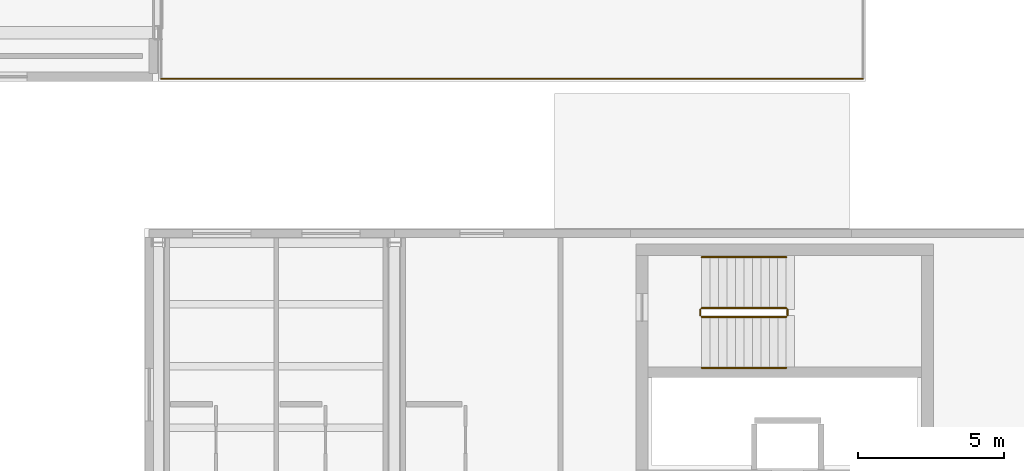
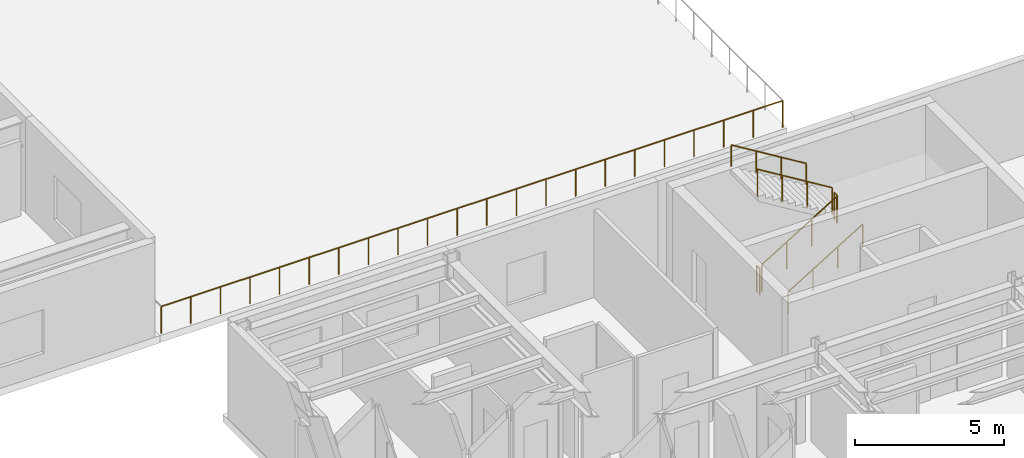
# One storey, part 54 of 59: 7 railings.
"""IFC4 building model written with IfcOpenShell, lengths in metres."""

from ifc_helpers import new_model, si_unit, direction, frame, origin, origin_2d, place, context, subcontext, project, spatial, circle, extrude, material, type_object, element, save


model = new_model("IFC4")

# Units and contexts
model_context = context("Model", 3, precision=1e-05, world=origin(), true_north=direction((0.0, 1.0)))
body_context = subcontext(model_context, "Body", "Model", "MODEL_VIEW")
ifc_project = project(units=[si_unit("LENGTHUNIT", "METRE"), si_unit("AREAUNIT", "SQUARE_METRE"), si_unit("VOLUMEUNIT", "CUBIC_METRE"), si_unit("PLANEANGLEUNIT", "RADIAN"), si_unit("MASSUNIT", "GRAM", prefix="KILO")], contexts=[model_context])

# Site, building, storey
site_placement = place(None, origin())
site = spatial("IfcSite", under=ifc_project, at=site_placement, CompositionType="ELEMENT")
building_placement = place(site_placement, origin())
building = spatial("IfcBuilding", under=site, at=building_placement, Name="Sollismere Congress Hotel", CompositionType="ELEMENT")
storey_placement = place(building_placement, frame((0.0, 0.0, 15.60009765625)))
storey = spatial("IfcBuildingStorey", under=building, at=storey_placement, Name="L03", CompositionType="ELEMENT", Elevation=15.60009765625)

# Railings
ifc_material_1 = material(Name="Laminated Safety Glass & Bronze Cap Rail", Category="glass")
railing_type_1 = type_object("IfcRailingType", Name="RL-GD112", PredefinedType="GUARDRAIL", material=ifc_material_1)
railing_1_placement = place(storey_placement, frame((58.3798828125, 24.419921875, 0.0)))
element("IfcRailing", 1, at=railing_1_placement, inside=storey, type_object=railing_type_1, Name="RLG-GD-L03-004", PredefinedType="GUARDRAIL", context=body_context, shape_type="SweptSolid", body=[
    extrude(circle(Radius=0.02392578125, at=origin_2d()), frame((0.0, 0.0, 1.09619140625), z_axis=(-1.0, 0.0, 0.0), x_axis=(0.0, -1.0, 0.0)), (0.0, 0.0, 1.0), 24.079833984375),
    extrude(circle(Radius=0.02099609375, at=origin_2d()), origin(), (0.0, 0.0, 1.0), 1.072021484375),
    extrude(circle(Radius=0.02099609375, at=origin_2d()), frame((-1.146728515625, 0.0, 0.0)), (0.0, 0.0, 1.0), 1.072021484375),
    extrude(circle(Radius=0.02099609375, at=origin_2d()), frame((-2.293212890625, 0.0, 0.0)), (0.0, 0.0, 1.0), 1.072021484375),
    extrude(circle(Radius=0.02099609375, at=origin_2d()), frame((-3.43994140625, 0.0, 0.0)), (0.0, 0.0, 1.0), 1.072021484375),
    extrude(circle(Radius=0.02099609375, at=origin_2d()), frame((-4.586669921875, 0.0, 0.0)), (0.0, 0.0, 1.0), 1.072021484375),
    extrude(circle(Radius=0.02099609375, at=origin_2d()), frame((-5.7333984375, 0.0, 0.0)), (0.0, 0.0, 1.0), 1.072021484375),
    extrude(circle(Radius=0.02099609375, at=origin_2d()), frame((-6.8798828125, 0.0, 0.0)), (0.0, 0.0, 1.0), 1.072021484375),
    extrude(circle(Radius=0.02099609375, at=origin_2d()), frame((-8.026611328125, 0.0, 0.0)), (0.0, 0.0, 1.0), 1.072021484375),
    extrude(circle(Radius=0.02099609375, at=origin_2d()), frame((-9.17333984375, 0.0, 0.0)), (0.0, 0.0, 1.0), 1.072021484375),
    extrude(circle(Radius=0.02099609375, at=origin_2d()), frame((-10.31982421875, 0.0, 0.0)), (0.0, 0.0, 1.0), 1.072021484375),
    extrude(circle(Radius=0.02099609375, at=origin_2d()), frame((-11.466552734375, 0.0, 0.0)), (0.0, 0.0, 1.0), 1.072021484375),
    extrude(circle(Radius=0.02099609375, at=origin_2d()), frame((-12.61328125, 0.0, 0.0)), (0.0, 0.0, 1.0), 1.072021484375),
    extrude(circle(Radius=0.02099609375, at=origin_2d()), frame((-13.760009765625, 0.0, 0.0)), (0.0, 0.0, 1.0), 1.072021484375),
    extrude(circle(Radius=0.02099609375, at=origin_2d()), frame((-14.906494140625, 0.0, 0.0)), (0.0, 0.0, 1.0), 1.072021484375),
    extrude(circle(Radius=0.02099609375, at=origin_2d()), frame((-16.05322265625, 0.0, 0.0)), (0.0, 0.0, 1.0), 1.072021484375),
    extrude(circle(Radius=0.02099609375, at=origin_2d()), frame((-17.199951171875, 0.0, 0.0)), (0.0, 0.0, 1.0), 1.072021484375),
    extrude(circle(Radius=0.02099609375, at=origin_2d()), frame((-18.346435546875, 0.0, 0.0)), (0.0, 0.0, 1.0), 1.072021484375),
    extrude(circle(Radius=0.02099609375, at=origin_2d()), frame((-19.4931640625, 0.0, 0.0)), (0.0, 0.0, 1.0), 1.072021484375),
    extrude(circle(Radius=0.02099609375, at=origin_2d()), frame((-20.639892578125, 0.0, 0.0)), (0.0, 0.0, 1.0), 1.072021484375),
    extrude(circle(Radius=0.02099609375, at=origin_2d()), frame((-21.78662109375, 0.0, 0.0)), (0.0, 0.0, 1.0), 1.072021484375),
    extrude(circle(Radius=0.02099609375, at=origin_2d()), frame((-22.93310546875, 0.0, 0.0)), (0.0, 0.0, 1.0), 1.072021484375),
    extrude(circle(Radius=0.02099609375, at=origin_2d()), frame((-24.079833984375, 0.0, 0.0)), (0.0, 0.0, 1.0), 1.072021484375),
])
ifc_material_2 = material(Name="Steel ASTM A500 Grade C", Category="steel")
railing_type_2 = type_object("IfcRailingType", Name="RL-GRD112", PredefinedType="GUARDRAIL", material=ifc_material_2)
railing_2_placement = place(storey_placement, frame((52.85009765625, 16.25, 0.17724609375)))
element("IfcRailing", 2, at=railing_2_placement, inside=storey, type_object=railing_type_2, Name="RLG-RG-ST-06-L03-1", PredefinedType="GUARDRAIL", context=body_context, shape_type="SweptSolid", body=[
    extrude(circle(Radius=0.02392578125, at=origin_2d()), frame((0.0, 0.0, 1.09619140625), z_axis=(0.853210801645, 0.0, 0.521566225858), x_axis=(0.0, 1.0, 0.0)), (0.0, 0.0, 1.0), 3.39892578125),
    extrude(circle(Radius=0.02099609375, at=origin_2d()), origin(), (0.0, 0.0, 1.0), 1.072021484375),
    extrude(circle(Radius=0.02099609375, at=origin_2d()), frame((0.966552734375, 0.0, 0.5908203125)), (0.0, 0.0, 1.0), 1.072021484375),
    extrude(circle(Radius=0.02099609375, at=origin_2d()), frame((1.933349609375, 0.0, 1.181884765625)), (0.0, 0.0, 1.0), 1.072021484375),
    extrude(circle(Radius=0.02099609375, at=origin_2d()), frame((2.89990234375, 0.0, 1.772705078125)), (0.0, 0.0, 1.0), 1.072021484375),
])
railing_3_placement = place(storey_placement, frame((55.800048828125, 16.300048828125, 1.949951171875)))
element("IfcRailing", 3, at=railing_3_placement, inside=storey, type_object=railing_type_2, Name="RLG-RG-ST-06-L03-2", PredefinedType="GUARDRAIL", context=body_context, shape_type="SweptSolid", body=[
    extrude(circle(Radius=0.02392578125, at=origin_2d()), frame((0.0, 0.0, 1.09619140625), z_axis=(0.0, 1.0, 0.0), x_axis=(-1.0, 0.0, 0.0)), (0.0, 0.0, 1.0), 0.199951171875),
    extrude(circle(Radius=0.02099609375, at=origin_2d()), origin(), (0.0, 0.0, 1.0), 1.072021484375),
    extrude(circle(Radius=0.02099609375, at=origin_2d()), frame((0.0, 0.199951171875, 0.0)), (0.0, 0.0, 1.0), 1.072021484375),
])
railing_4_placement = place(storey_placement, frame((55.75, 16.550048828125, 2.127197265625)))
element("IfcRailing", 4, at=railing_4_placement, inside=storey, type_object=railing_type_2, Name="RLG-RG-ST-06-L03-3", PredefinedType="GUARDRAIL", context=body_context, shape_type="SweptSolid", body=[
    extrude(circle(Radius=0.02392578125, at=origin_2d()), frame((0.0, 0.0, 1.09619140625), z_axis=(-0.853210801645, 0.0, 0.521566225858), x_axis=(0.0, -1.0, 0.0)), (0.0, 0.0, 1.0), 3.39892578125),
    extrude(circle(Radius=0.02099609375, at=origin_2d()), origin(), (0.0, 0.0, 1.0), 1.072021484375),
    extrude(circle(Radius=0.02099609375, at=origin_2d()), frame((-0.966552734375, 0.0, 0.5908203125)), (0.0, 0.0, 1.0), 1.072021484375),
    extrude(circle(Radius=0.02099609375, at=origin_2d()), frame((-1.933349609375, 0.0, 1.181884765625)), (0.0, 0.0, 1.0), 1.072021484375),
    extrude(circle(Radius=0.02099609375, at=origin_2d()), frame((-2.89990234375, 0.0, 1.772705078125)), (0.0, 0.0, 1.0), 1.072021484375),
])
railing_5_placement = place(storey_placement, frame((52.800048828125, 16.300048828125, 0.0)))
element("IfcRailing", 5, at=railing_5_placement, inside=storey, type_object=railing_type_2, Name="RLG-RG-ST-06-L03-4", PredefinedType="GUARDRAIL", context=body_context, shape_type="SweptSolid", body=[
    extrude(circle(Radius=0.02392578125, at=origin_2d()), frame((0.0, 0.0, 1.09619140625), z_axis=(0.0, 1.0, 0.0), x_axis=(-1.0, 0.0, 0.0)), (0.0, 0.0, 1.0), 0.199951171875),
    extrude(circle(Radius=0.02099609375, at=origin_2d()), origin(), (0.0, 0.0, 1.0), 1.072021484375),
    extrude(circle(Radius=0.02099609375, at=origin_2d()), frame((0.0, 0.199951171875, 0.0)), (0.0, 0.0, 1.0), 1.072021484375),
])
ifc_material_3 = material(Name="Brushed Architectural Bronze")
railing_type_3 = type_object("IfcRailingType", Name="RL-HND90", PredefinedType="HANDRAIL", material=ifc_material_3)
railing_6_placement = place(storey_placement, frame((52.85009765625, 14.5, 0.33056640625)))
element("IfcRailing", 6, at=railing_6_placement, inside=storey, type_object=railing_type_3, Name="RLG-RH-ST-06-L03-1", PredefinedType="HANDRAIL", context=body_context, shape_type="SweptSolid", body=[
    extrude(circle(Radius=0.02392578125, at=origin_2d()), frame((0.0, 0.0, 0.8759765625), z_axis=(0.853210801645, 0.0, 0.521566225858), x_axis=(0.0, 1.0, 0.0)), (0.0, 0.0, 1.0), 3.39892578125),
    extrude(circle(Radius=0.02099609375, at=origin_2d()), origin(), (0.0, 0.0, 1.0), 0.851806640625),
    extrude(circle(Radius=0.02099609375, at=origin_2d()), frame((0.966552734375, 0.0, 0.5908203125)), (0.0, 0.0, 1.0), 0.851806640625),
    extrude(circle(Radius=0.02099609375, at=origin_2d()), frame((1.933349609375, 0.0, 1.181884765625)), (0.0, 0.0, 1.0), 0.851806640625),
    extrude(circle(Radius=0.02099609375, at=origin_2d()), frame((2.89990234375, 0.0, 1.772705078125)), (0.0, 0.0, 1.0), 0.851806640625),
])
railing_7_placement = place(storey_placement, frame((55.75, 18.300048828125, 2.280517578125)))
element("IfcRailing", 7, at=railing_7_placement, inside=storey, type_object=railing_type_3, Name="RLG-RH-ST-06-L03-2", PredefinedType="HANDRAIL", context=body_context, shape_type="SweptSolid", body=[
    extrude(circle(Radius=0.02392578125, at=origin_2d()), frame((0.0, 0.0, 0.8759765625), z_axis=(-0.853210801645, 0.0, 0.521566225858), x_axis=(0.0, -1.0, 0.0)), (0.0, 0.0, 1.0), 3.39892578125),
    extrude(circle(Radius=0.02099609375, at=origin_2d()), origin(), (0.0, 0.0, 1.0), 0.851806640625),
    extrude(circle(Radius=0.02099609375, at=origin_2d()), frame((-0.966552734375, 0.0, 0.5908203125)), (0.0, 0.0, 1.0), 0.851806640625),
    extrude(circle(Radius=0.02099609375, at=origin_2d()), frame((-1.933349609375, 0.0, 1.181884765625)), (0.0, 0.0, 1.0), 0.851806640625),
    extrude(circle(Radius=0.02099609375, at=origin_2d()), frame((-2.89990234375, 0.0, 1.772705078125)), (0.0, 0.0, 1.0), 0.851806640625),
])

save(model, "model.ifc")
